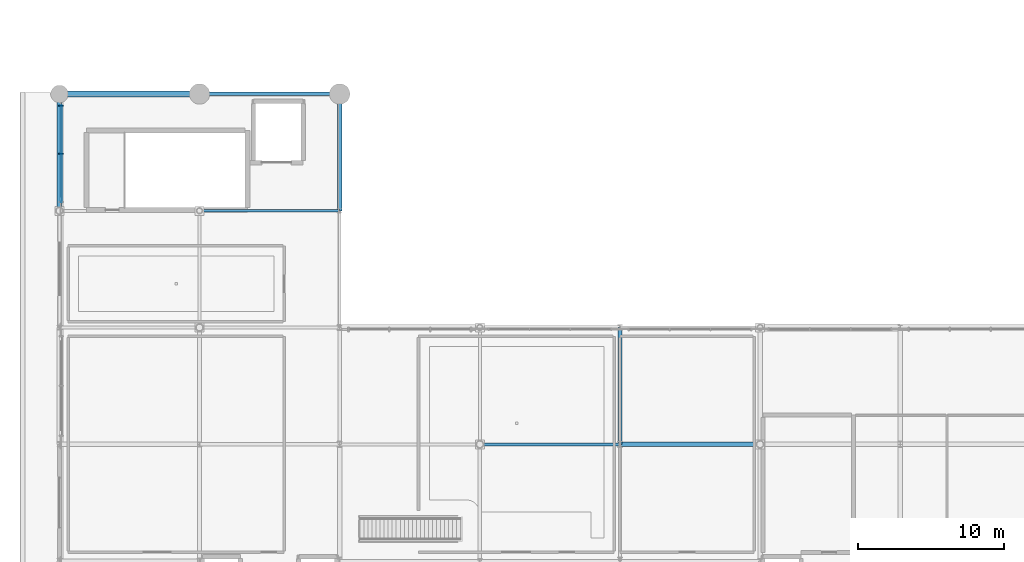
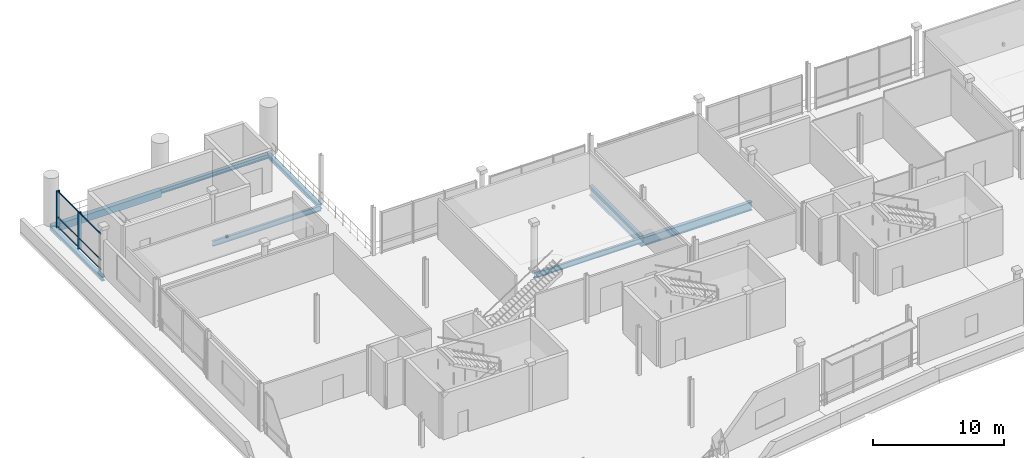
# One storey, part 18 of 59: 8 beams, 5 members, 1 element without a shape of its own.
"""IFC4 building model written with IfcOpenShell, lengths in metres."""

from ifc_helpers import new_model, si_unit, direction, frame, origin, origin_2d, place, context, subcontext, project, spatial, rectangle, i_section, extrude, material, material_profile, profile_set, type_object, element, aggregate, save


model = new_model("IFC4")

# Units and contexts
model_context = context("Model", 3, precision=1e-05, world=origin(), true_north=direction((0.0, 1.0)))
body_context = subcontext(model_context, "Body", "Model", "MODEL_VIEW")
ifc_project = project(units=[si_unit("LENGTHUNIT", "METRE"), si_unit("AREAUNIT", "SQUARE_METRE"), si_unit("VOLUMEUNIT", "CUBIC_METRE"), si_unit("PLANEANGLEUNIT", "RADIAN"), si_unit("MASSUNIT", "GRAM", prefix="KILO")], contexts=[model_context])

# Site, building, storey
site_placement = place(None, origin())
site = spatial("IfcSite", under=ifc_project, at=site_placement, CompositionType="ELEMENT")
building_placement = place(site_placement, origin())
building = spatial("IfcBuilding", under=site, at=building_placement, Name="Danafjord Basin Convention Centre", CompositionType="ELEMENT")
storey_placement = place(building_placement, frame((0.0, 0.0, 15.89990234375)))
storey = spatial("IfcBuildingStorey", under=building, at=storey_placement, Name="L03", CompositionType="ELEMENT", Elevation=15.89990234375)

# Beams
ifc_material_1 = material(Name="Steel S355", Category="steel")
ifc_material_profile_1 = material_profile(ifc_material_1, i_section(OverallWidth=0.300048828125, OverallDepth=0.800048828125, WebThickness=0.017578125, FlangeThickness=0.032958984375, FilletRadius=0.030029296875, at=origin_2d()), Name="HEB 800")
ifc_profile_set_1 = profile_set([ifc_material_profile_1], Name="Steel S355")
beam_type_1 = type_object("IfcBeamType", Name="BEAM-BM-HEB800", PredefinedType="BEAM", material=ifc_profile_set_1)
beam_1_placement = place(storey_placement, frame((38.39990234375, 32.0, -0.6298828125), z_axis=(1.0, 0.0, 0.0), x_axis=(0.0, 1.0, 0.0)))
element("IfcBeam", 1, at=beam_1_placement, inside=storey, type_object=beam_type_1, Name="L03 girder BM-HEB800", PredefinedType="BEAM", context=body_context, shape_type="SweptSolid", body=[
    extrude(i_section(OverallWidth=0.300048828125, OverallDepth=0.800048828125, WebThickness=0.017578125, FlangeThickness=0.032958984375, FilletRadius=0.030029296875, at=origin_2d()), origin(), (0.0, 0.0, 1.0), 9.60009765625),
])
ifc_material_profile_2 = material_profile(ifc_material_1, i_section(OverallWidth=0.300048828125, OverallDepth=0.89990234375, WebThickness=0.0185546875, FlangeThickness=0.034912109375, FilletRadius=0.030029296875, at=origin_2d()), Name="HEB 900")
ifc_profile_set_2 = profile_set([ifc_material_profile_2], Name="Steel S355")
beam_type_2 = type_object("IfcBeamType", Name="BEAM-BM-HEB900", PredefinedType="BEAM", material=ifc_profile_set_2)
beam_2_placement = place(storey_placement, frame((38.39990234375, 32.0, -0.679931640625), z_axis=(0.0, 1.0, 0.0), x_axis=(-1.0, 0.0, 0.0)))
element("IfcBeam", 2, at=beam_2_placement, inside=storey, type_object=beam_type_2, Name="L03 transverse girder BM-HEB900", PredefinedType="BEAM", context=body_context, shape_type="SweptSolid", body=[
    extrude(i_section(OverallWidth=0.300048828125, OverallDepth=0.89990234375, WebThickness=0.0185546875, FlangeThickness=0.034912109375, FilletRadius=0.030029296875, at=origin_2d()), origin(), (0.0, 0.0, 1.0), 8.0),
])
ifc_material_profile_3 = material_profile(ifc_material_1, i_section(OverallWidth=0.199951171875, OverallDepth=0.5, WebThickness=0.01025390625, FlangeThickness=0.01611328125, FilletRadius=0.02099609375, at=origin_2d()), Name="IPE 500")
ifc_profile_set_3 = profile_set([ifc_material_profile_3], Name="Steel S355")
beam_type_3 = type_object("IfcBeamType", Name="BEAM-BM-IPE500", PredefinedType="BEAM", material=ifc_profile_set_3)
for number, where, z_axis, x_axis, name in (
    (3, (9.60009765625, 48.0, -0.47998046875), (1.0, 0.0, 0.0), (0.0, 1.0, 0.0), "L03 girder BM-IPE500"),
    (4, (28.800048828125, 32.0, -0.47998046875), (1.0, 0.0, 0.0), (0.0, 1.0, 0.0), "L03 girder BM-IPE500"),
):
    element("IfcBeam", number, at=place(storey_placement, frame(where, z_axis=z_axis, x_axis=x_axis)), inside=storey, type_object=beam_type_3, Name=name, PredefinedType="BEAM", context=body_context, shape_type="SweptSolid", body=[
        extrude(i_section(OverallWidth=0.199951171875, OverallDepth=0.5, WebThickness=0.01025390625, FlangeThickness=0.01611328125, FilletRadius=0.02099609375, at=origin_2d()), origin(), (0.0, 0.0, 1.0), 9.599853515625),
    ])
ifc_material_profile_4 = material_profile(ifc_material_1, i_section(OverallWidth=0.300048828125, OverallDepth=0.39990234375, WebThickness=0.013427734375, FlangeThickness=0.02392578125, FilletRadius=0.027099609375, at=origin_2d()), Name="HEB 400")
ifc_profile_set_4 = profile_set([ifc_material_profile_4], Name="Steel S355")
beam_type_4 = type_object("IfcBeamType", Name="BEAM-SP-HEB400", PredefinedType="SPANDREL", material=ifc_profile_set_4)
beam_3_placement = place(storey_placement, frame((9.60009765625, 56.0, -0.429931640625), z_axis=(1.0, 0.0, 0.0), x_axis=(0.0, 1.0, 0.0)))
element("IfcBeam", 5, at=beam_3_placement, inside=storey, type_object=beam_type_4, Name="L03 girder SP-HEB400", PredefinedType="SPANDREL", context=body_context, shape_type="SweptSolid", body=[
    extrude(i_section(OverallWidth=0.300048828125, OverallDepth=0.39990234375, WebThickness=0.013427734375, FlangeThickness=0.02392578125, FilletRadius=0.027099609375, at=origin_2d()), origin(), (0.0, 0.0, 1.0), 9.599853515625),
])
for number, where, z_axis, x_axis, name in (
    (6, (0.0, 48.0, -0.429931640625), (0.0, 1.0, 0.0), (-1.0, 0.0, 0.0), "L03 transverse girder SP-HEB400"),
    (7, (19.199951171875, 48.0, -0.429931640625), (0.0, 1.0, 0.0), (-1.0, 0.0, 0.0), "L03 transverse girder SP-HEB400"),
):
    element("IfcBeam", number, at=place(storey_placement, frame(where, z_axis=z_axis, x_axis=x_axis)), inside=storey, type_object=beam_type_4, Name=name, PredefinedType="SPANDREL", context=body_context, shape_type="SweptSolid", body=[
        extrude(i_section(OverallWidth=0.300048828125, OverallDepth=0.39990234375, WebThickness=0.013427734375, FlangeThickness=0.02392578125, FilletRadius=0.027099609375, at=origin_2d()), origin(), (0.0, 0.0, 1.0), 8.0),
    ])
ifc_material_2 = material(Name="Precast concrete C45/55", Category="concrete")
ifc_material_profile_5 = material_profile(ifc_material_2, rectangle(XDim=0.39990234375, YDim=0.64990234375, at=origin_2d()), Name="PCB 400x650")
ifc_profile_set_5 = profile_set([ifc_material_profile_5], Name="Precast concrete C45/55")
beam_type_5 = type_object("IfcBeamType", Name="BEAM-SP-PCB650", PredefinedType="SPANDREL", material=ifc_profile_set_5)
beam_4_placement = place(storey_placement, frame((0.0, 56.0, -0.554931640625), z_axis=(1.0, 0.0, 0.0), x_axis=(0.0, 1.0, 0.0)))
element("IfcBeam", 8, at=beam_4_placement, inside=storey, type_object=beam_type_5, Name="L03 girder SP-PCB650", PredefinedType="SPANDREL", context=body_context, shape_type="SweptSolid", body=[
    extrude(rectangle(XDim=0.39990234375, YDim=0.64990234375, at=origin_2d()), origin(), (0.0, 0.0, 1.0), 9.60009765625),
])

# Curtain wall, members
ifc_material_3 = material(Name="Anodised aluminium and triple glazing", Category="aluminium")
curtain_wall_type = type_object("IfcCurtainWallType", Name="CW-CW-TERR", PredefinedType="NOTDEFINED", material=ifc_material_3)
curtain_wall_placement = place(storey_placement, origin())
curtain_wall = element("IfcCurtainWall", 9, at=curtain_wall_placement, inside=storey, type_object=curtain_wall_type, Name="L03 CW-TERR unitised curtain wall bay 84", PredefinedType="NOTDEFINED")
ifc_material_4 = material(Name="Anodised aluminium EN AW-6060", Category="aluminium")
ifc_material_profile_6 = material_profile(ifc_material_4, rectangle(XDim=0.080078125, YDim=0.300048828125, at=origin_2d()), Name="MULL 80x300")
ifc_profile_set_6 = profile_set([ifc_material_profile_6], Name="Anodised aluminium EN AW-6060")
member_type_1 = type_object("IfcMemberType", Name="MEM-ML-300", PredefinedType="MULLION", material=ifc_profile_set_6)
member_1_placement = place(storey_placement, frame((0.1201171875, 55.199951171875, -0.02490234375), z_axis=(0.0, 0.0, 1.0), x_axis=(0.0, -1.0, 0.0)))
member_1 = element("IfcMember", 10, at=member_1_placement, type_object=member_type_1, Name="CW-L03-084 mullion 1", PredefinedType="MULLION", context=body_context, shape_type="SweptSolid", body=[
    extrude(rectangle(XDim=0.080078125, YDim=0.300048828125, at=origin_2d()), origin(), (0.0, 0.0, 1.0), 3.449951171875),
])
member_2_placement = place(storey_placement, frame((0.1201171875, 51.89990234375, -0.02490234375), z_axis=(0.0, 0.0, 1.0), x_axis=(0.0, -1.0, 0.0)))
member_2 = element("IfcMember", 11, at=member_2_placement, type_object=member_type_1, Name="CW-L03-084 mullion 2", PredefinedType="MULLION", context=body_context, shape_type="SweptSolid", body=[
    extrude(rectangle(XDim=0.080078125, YDim=0.300048828125, at=origin_2d()), origin(), (0.0, 0.0, 1.0), 3.449951171875),
])
ifc_material_profile_7 = material_profile(ifc_material_4, rectangle(XDim=0.06005859375, YDim=0.110107421875, at=origin_2d()), Name="TRAN 60x110")
ifc_profile_set_7 = profile_set([ifc_material_profile_7], Name="Anodised aluminium EN AW-6060")
member_type_2 = type_object("IfcMemberType", Name="MEM-TR-110", PredefinedType="USERDEFINED", material=ifc_profile_set_7)
member_3_placement = place(storey_placement, frame((0.1201171875, 55.199951171875, 0.06005859375), z_axis=(0.0, -1.0, 0.0), x_axis=(1.0, 0.0, 0.0)))
member_3 = element("IfcMember", 12, at=member_3_placement, type_object=member_type_2, Name="CW-L03-084 transom 1", ObjectType="TRANSOM", PredefinedType="USERDEFINED", context=body_context, shape_type="SweptSolid", body=[
    extrude(rectangle(XDim=0.06005859375, YDim=0.110107421875, at=origin_2d()), origin(), (0.0, 0.0, 1.0), 6.599853515625),
])
member_4_placement = place(storey_placement, frame((0.1201171875, 55.199951171875, 0.9501953125), z_axis=(0.0, -1.0, 0.0), x_axis=(1.0, 0.0, 0.0)))
member_4 = element("IfcMember", 13, at=member_4_placement, type_object=member_type_2, Name="CW-L03-084 transom 2", ObjectType="TRANSOM", PredefinedType="USERDEFINED", context=body_context, shape_type="SweptSolid", body=[
    extrude(rectangle(XDim=0.06005859375, YDim=0.110107421875, at=origin_2d()), origin(), (0.0, 0.0, 1.0), 6.599853515625),
])
member_5_placement = place(storey_placement, frame((0.1201171875, 55.199951171875, 3.35498046875), z_axis=(0.0, -1.0, 0.0), x_axis=(1.0, 0.0, 0.0)))
member_5 = element("IfcMember", 14, at=member_5_placement, type_object=member_type_2, Name="CW-L03-084 transom 3", ObjectType="TRANSOM", PredefinedType="USERDEFINED", context=body_context, shape_type="SweptSolid", body=[
    extrude(rectangle(XDim=0.06005859375, YDim=0.110107421875, at=origin_2d()), origin(), (0.0, 0.0, 1.0), 6.599853515625),
])
aggregate(curtain_wall, [member_1, member_2, member_3, member_4, member_5])

save(model, "model.ifc")
